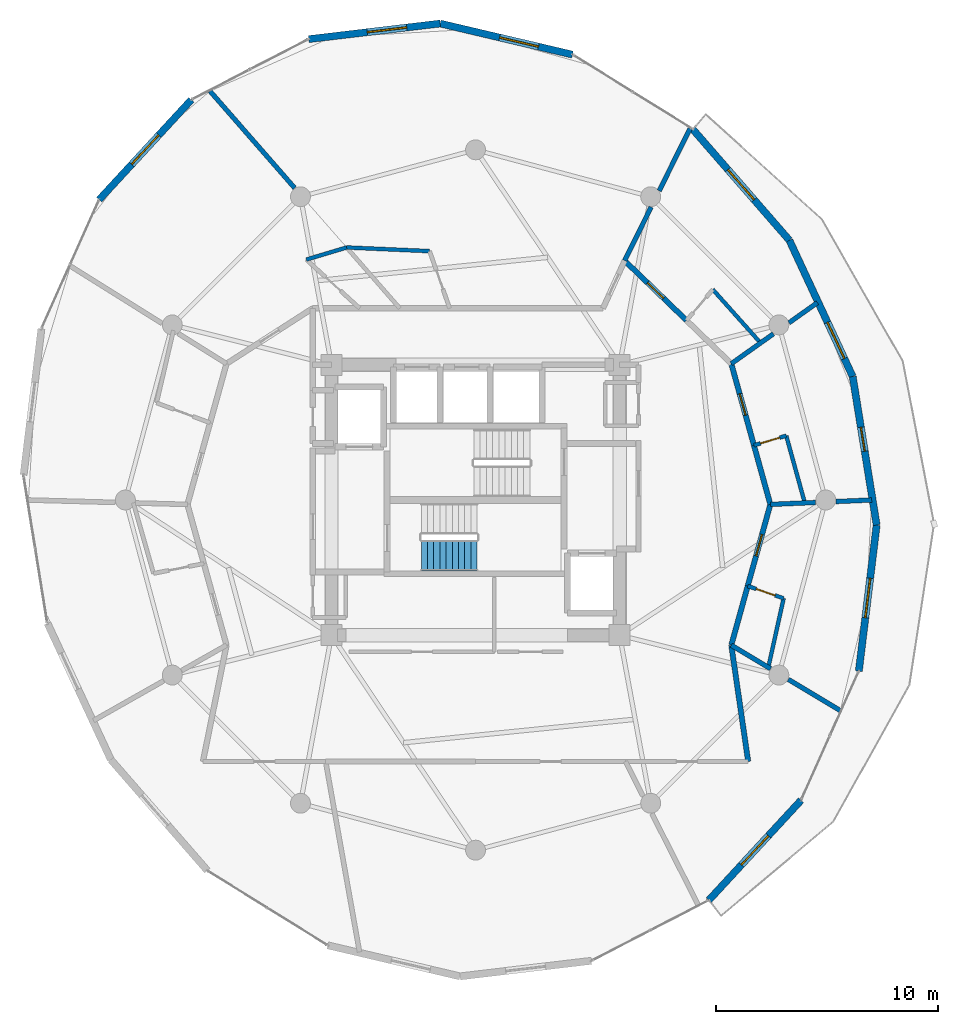
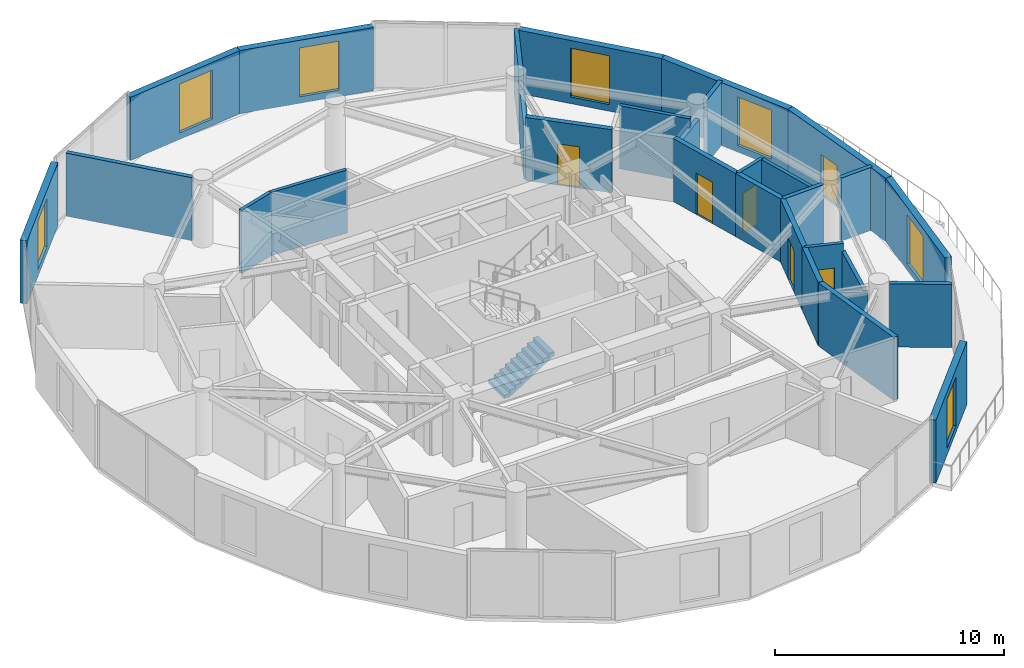
# One storey, part 19 of 22: 30 walls, 7 windows, 6 doors, 1 stair flight, 13 openings, 1 element without a shape of its own.
"""IFC4 building model written with IfcOpenShell, lengths in metres."""

from ifc_helpers import new_model, si_unit, direction, frame, frame_2d, origin, place, context, subcontext, project, spatial, polyline, rectangle, outline, extrude, material, layer, layer_set, type_object, element, fill, aggregate, save


model = new_model("IFC4")

# Units and contexts
model_context = context("Model", 3, precision=1e-05, world=origin(), true_north=direction((0.0, 1.0)))
body_context = subcontext(model_context, "Body", "Model", "MODEL_VIEW")
ifc_project = project(units=[si_unit("LENGTHUNIT", "METRE"), si_unit("AREAUNIT", "SQUARE_METRE"), si_unit("VOLUMEUNIT", "CUBIC_METRE"), si_unit("PLANEANGLEUNIT", "RADIAN"), si_unit("MASSUNIT", "GRAM", prefix="KILO")], contexts=[model_context])

# Site, building, storey
site_placement = place(None, origin())
site = spatial("IfcSite", under=ifc_project, at=site_placement, CompositionType="ELEMENT")
building_placement = place(site_placement, origin())
building = spatial("IfcBuilding", under=site, at=building_placement, Name="Solvirekh Grand Hotel", CompositionType="ELEMENT")
storey_placement = place(building_placement, frame((0.0, 0.0, 227.199951171875)))
storey = spatial("IfcBuildingStorey", under=building, at=storey_placement, Name="L59", CompositionType="ELEMENT", Elevation=227.199951171875)

# Wall, opening, window
ifc_material_1 = material(Name="Precast concrete C45/55", Category="concrete")
ifc_layer_1 = layer(ifc_material_1, 0.320068359375)
ifc_layer_set_1 = layer_set([ifc_layer_1], Name="Precast concrete C45/55")
wall_type_1 = type_object("IfcWallType", Name="ExtLobbyWall_RC320", PredefinedType="SOLIDWALL", material=ifc_layer_set_1)
wall_1_placement = place(storey_placement, frame((14.68408203125, -13.551025390625, 0.0), z_axis=(0.0, 0.0, 1.0), x_axis=(-0.678273488218, -0.734809550279, 0.0)))
wall_1 = element("IfcWall", 1, at=wall_1_placement, inside=storey, type_object=wall_type_1, Name="L59 exterior structural wall chord 2", PredefinedType="SOLIDWALL", context=body_context, shape_type="SweptSolid", body=[
    extrude(rectangle(XDim=6.132080078125, YDim=0.320068359375, at=frame_2d((3.06591796875, 0.0))), origin(), (0.0, 0.0, 1.0), 3.360107421875),
])
opening_1_placement = place(wall_1_placement, frame((2.166015625, 0.0, 0.35009765625)))
opening_1 = element("IfcOpeningElement", 2, at=opening_1_placement, cuts=wall_1, Name="Opening W02", PredefinedType="OPENING", context=body_context, shape_type="SweptSolid", body=[
    extrude(rectangle(XDim=1.800048828125, YDim=2.60009765625, at=frame_2d((0.89990234375, 1.300048828125))), frame((0.0, 0.169921875, 0.0), z_axis=(0.0, -1.0, 0.0), x_axis=(1.0, 0.0, 0.0)), (0.0, 0.0, 1.0), 0.340087890625),
])
ifc_material_2 = material(Name="Low-E Tinted Bronze Laminated Glass", Category="aluminium")
window_type = type_object("IfcWindowType", Name="Win_LobbyExt_1800X2600", PartitioningType="SINGLE_PANEL", PredefinedType="WINDOW", material=ifc_material_2)
window_1_placement = place(opening_1_placement, origin())
window_1 = element("IfcWindow", 3, at=window_1_placement, inside=storey, type_object=window_type, Name="L59 panoramic bronze-framed window 2", OverallHeight=2.60009765625, OverallWidth=1.800048828125, PartitioningType="SINGLE_PANEL", PredefinedType="WINDOW", context=body_context, shape_type="SweptSolid", body=[
    extrude(rectangle(XDim=1.800048828125, YDim=2.60009765625, at=frame_2d((0.89990234375, 1.300048828125))), frame((0.0, 0.030029296875, 0.0), z_axis=(0.0, -1.0, 0.0), x_axis=(1.0, 0.0, 0.0)), (0.0, 0.0, 1.0), 0.06005859375),
])
fill(opening_1, window_1)

wall_2_placement = place(storey_placement, frame((18.095947265625, -1.131103515625, 0.0), z_axis=(0.0, 0.0, 1.0), x_axis=(-0.12099160472, -0.992653530486, 0.0)))
wall_2 = element("IfcWall", 4, at=wall_2_placement, inside=storey, type_object=wall_type_1, Name="L59 exterior structural wall chord 4", PredefinedType="SOLIDWALL", context=body_context, shape_type="SweptSolid", body=[
    extrude(rectangle(XDim=6.63671875, YDim=0.320068359375, at=frame_2d((3.318359375, 0.0))), origin(), (0.0, 0.0, 1.0), 3.360107421875),
])
opening_2_placement = place(wall_2_placement, frame((2.41796875, 0.0, 0.35009765625)))
opening_2 = element("IfcOpeningElement", 5, at=opening_2_placement, cuts=wall_2, Name="Opening W02", PredefinedType="OPENING", context=body_context, shape_type="SweptSolid", body=[
    extrude(rectangle(XDim=1.800048828125, YDim=2.60009765625, at=frame_2d((0.89990234375, 1.300048828125))), frame((0.0, 0.169921875, 0.0), z_axis=(0.0, -1.0, 0.0), x_axis=(1.0, 0.0, 0.0)), (0.0, 0.0, 1.0), 0.340087890625),
])
window_2_placement = place(opening_2_placement, origin())
window_2 = element("IfcWindow", 6, at=window_2_placement, inside=storey, type_object=window_type, Name="L59 panoramic bronze-framed window 4", OverallHeight=2.60009765625, OverallWidth=1.800048828125, PartitioningType="SINGLE_PANEL", PredefinedType="WINDOW", context=body_context, shape_type="SweptSolid", body=[
    extrude(rectangle(XDim=1.800048828125, YDim=2.60009765625, at=frame_2d((0.89990234375, 1.300048828125))), frame((0.0, 0.030029296875, 0.0), z_axis=(0.0, -1.0, 0.0), x_axis=(1.0, 0.0, 0.0)), (0.0, 0.0, 1.0), 0.06005859375),
])
fill(opening_2, window_2)

# Wall, opening, door
wall_3_placement = place(storey_placement, frame((17.01611328125, 5.568115234375, 0.0), z_axis=(0.0, 0.0, 1.0), x_axis=(0.159134025561, -0.987256988787, 0.0)))
wall_3 = element("IfcWall", 7, at=wall_3_placement, inside=storey, type_object=wall_type_1, Name="L59 exterior structural wall chord 5", PredefinedType="SOLIDWALL", context=body_context, shape_type="SweptSolid", body=[
    extrude(rectangle(XDim=6.78564453125, YDim=0.320068359375, at=frame_2d((3.392822265625, 0.0))), origin(), (0.0, 0.0, 1.0), 3.360107421875),
])
opening_3_placement = place(wall_3_placement, frame((2.31689453125, 0.0, 0.0)))
opening_3 = element("IfcOpeningElement", 8, at=opening_3_placement, cuts=wall_3, Name="Opening D03", PredefinedType="OPENING", context=body_context, shape_type="SweptSolid", body=[
    extrude(rectangle(XDim=1.10009765625, YDim=2.199951171875, at=frame_2d((0.550048828125, 1.10009765625))), frame((0.0, 0.169921875, 0.0), z_axis=(0.0, -1.0, 0.0), x_axis=(1.0, 0.0, 0.0)), (0.0, 0.0, 1.0), 0.340087890625),
])
ifc_material_3 = material(Name="Anodized Bronze Aluminium 6063-T6", Category="aluminium")
door_type_1 = type_object("IfcDoorType", Name="Door_ExtBalcony_1100X2200", OperationType="NOTDEFINED", PredefinedType="DOOR", material=ifc_material_3)
door_1_placement = place(opening_3_placement, origin())
door_1 = element("IfcDoor", 9, at=door_1_placement, inside=storey, type_object=door_type_1, Name="L59 Crescent balcony glazed door (5)", OperationType="SINGLE_SWING_LEFT", OverallHeight=2.199951171875, OverallWidth=1.10009765625, PredefinedType="DOOR", context=body_context, shape_type="SweptSolid", body=[
    extrude(rectangle(XDim=1.10009765625, YDim=2.199951171875, at=frame_2d((0.550048828125, 1.10009765625))), frame((0.0, 0.02490234375, 0.0), z_axis=(0.0, -1.0, 0.0), x_axis=(1.0, 0.0, 0.0)), (0.0, 0.0, 1.0), 0.050048828125),
])
fill(opening_3, door_1)

# Wall, opening, window
wall_4_placement = place(storey_placement, frame((14.156982421875, 11.720947265625, 0.0), z_axis=(0.0, 0.0, 1.0), x_axis=(0.421409426627, -0.906870495247, 0.0)))
wall_4 = element("IfcWall", 10, at=wall_4_placement, inside=storey, type_object=wall_type_1, Name="L59 exterior structural wall chord 6", PredefinedType="SOLIDWALL", context=body_context, shape_type="SweptSolid", body=[
    extrude(rectangle(XDim=6.78466796875, YDim=0.320068359375, at=frame_2d((3.392333984375, 0.0))), origin(), (0.0, 0.0, 1.0), 3.360107421875),
])
opening_4_placement = place(wall_4_placement, frame((4.0859375, 0.0, 0.35009765625)))
opening_4 = element("IfcOpeningElement", 11, at=opening_4_placement, cuts=wall_4, Name="Opening W02", PredefinedType="OPENING", context=body_context, shape_type="SweptSolid", body=[
    extrude(rectangle(XDim=1.800048828125, YDim=2.60009765625, at=frame_2d((0.89990234375, 1.300048828125))), frame((0.0, 0.169921875, 0.0), z_axis=(0.0, -1.0, 0.0), x_axis=(1.0, 0.0, 0.0)), (0.0, 0.0, 1.0), 0.340087890625),
])
window_3_placement = place(opening_4_placement, origin())
window_3 = element("IfcWindow", 12, at=window_3_placement, inside=storey, type_object=window_type, Name="L59 panoramic bronze-framed window 6", OverallHeight=2.60009765625, OverallWidth=1.800048828125, PartitioningType="SINGLE_PANEL", PredefinedType="WINDOW", context=body_context, shape_type="SweptSolid", body=[
    extrude(rectangle(XDim=1.800048828125, YDim=2.60009765625, at=frame_2d((0.89990234375, 1.300048828125))), frame((0.0, 0.030029296875, 0.0), z_axis=(0.0, -1.0, 0.0), x_axis=(1.0, 0.0, 0.0)), (0.0, 0.0, 1.0), 0.06005859375),
])
fill(opening_4, window_3)

wall_5_placement = place(storey_placement, frame((9.800048828125, 16.72802734375, 0.0), z_axis=(0.0, 0.0, 1.0), x_axis=(0.656431844165, -0.754385335201, 0.0)))
wall_5 = element("IfcWall", 13, at=wall_5_placement, inside=storey, type_object=wall_type_1, Name="L59 exterior structural wall chord 7", PredefinedType="SOLIDWALL", context=body_context, shape_type="SweptSolid", body=[
    extrude(rectangle(XDim=6.63720703125, YDim=0.320068359375, at=frame_2d((3.318603515625, 0.0))), origin(), (0.0, 0.0, 1.0), 3.360107421875),
])
opening_5_placement = place(wall_5_placement, frame((2.4189453125, 0.0, 0.35009765625)))
opening_5 = element("IfcOpeningElement", 14, at=opening_5_placement, cuts=wall_5, Name="Opening W02", PredefinedType="OPENING", context=body_context, shape_type="SweptSolid", body=[
    extrude(rectangle(XDim=1.800048828125, YDim=2.60009765625, at=frame_2d((0.89990234375, 1.300048828125))), frame((0.0, 0.169921875, 0.0), z_axis=(0.0, -1.0, 0.0), x_axis=(1.0, 0.0, 0.0)), (0.0, 0.0, 1.0), 0.340087890625),
])
window_4_placement = place(opening_5_placement, origin())
window_4 = element("IfcWindow", 15, at=window_4_placement, inside=storey, type_object=window_type, Name="L59 panoramic bronze-framed window 7", OverallHeight=2.60009765625, OverallWidth=1.800048828125, PartitioningType="SINGLE_PANEL", PredefinedType="WINDOW", context=body_context, shape_type="SweptSolid", body=[
    extrude(rectangle(XDim=1.800048828125, YDim=2.60009765625, at=frame_2d((0.89990234375, 1.300048828125))), frame((0.0, 0.030029296875, 0.0), z_axis=(0.0, -1.0, 0.0), x_axis=(1.0, 0.0, 0.0)), (0.0, 0.0, 1.0), 0.06005859375),
])
fill(opening_5, window_4)

wall_6_placement = place(storey_placement, frame((-1.597900390625, 21.498046875, 0.0), z_axis=(0.0, 0.0, 1.0), x_axis=(0.973503262374, -0.22867312511, 0.0)))
wall_6 = element("IfcWall", 16, at=wall_6_placement, inside=storey, type_object=wall_type_1, Name="L59 exterior structural wall chord 9", PredefinedType="SOLIDWALL", context=body_context, shape_type="SweptSolid", body=[
    extrude(rectangle(XDim=6.13134765625, YDim=0.320068359375, at=frame_2d((3.065673828125, 0.0))), origin(), (0.0, 0.0, 1.0), 3.360107421875),
])
opening_6_placement = place(wall_6_placement, frame((2.756103515625, 0.0, 0.35009765625)))
opening_6 = element("IfcOpeningElement", 17, at=opening_6_placement, cuts=wall_6, Name="Opening W02", PredefinedType="OPENING", context=body_context, shape_type="SweptSolid", body=[
    extrude(rectangle(XDim=1.800048828125, YDim=2.60009765625, at=frame_2d((0.89990234375, 1.300048828125))), frame((0.0, 0.169921875, 0.0), z_axis=(0.0, -1.0, 0.0), x_axis=(1.0, 0.0, 0.0)), (0.0, 0.0, 1.0), 0.340087890625),
])
window_5_placement = place(opening_6_placement, origin())
window_5 = element("IfcWindow", 18, at=window_5_placement, inside=storey, type_object=window_type, Name="L59 panoramic bronze-framed window 9", OverallHeight=2.60009765625, OverallWidth=1.800048828125, PartitioningType="SINGLE_PANEL", PredefinedType="WINDOW", context=body_context, shape_type="SweptSolid", body=[
    extrude(rectangle(XDim=1.800048828125, YDim=2.60009765625, at=frame_2d((0.89990234375, 1.300048828125))), frame((0.0, 0.030029296875, 0.0), z_axis=(0.0, -1.0, 0.0), x_axis=(1.0, 0.0, 0.0)), (0.0, 0.0, 1.0), 0.06005859375),
])
fill(opening_6, window_5)

wall_7_placement = place(storey_placement, frame((-7.52392578125, 20.794921875, 0.0), z_axis=(0.0, 0.0, 1.0), x_axis=(0.993034505957, 0.117823893921, 0.0)))
wall_7 = element("IfcWall", 19, at=wall_7_placement, inside=storey, type_object=wall_type_1, Name="L59 exterior structural wall chord 10", PredefinedType="SOLIDWALL", context=body_context, shape_type="SweptSolid", body=[
    extrude(rectangle(XDim=5.967529296875, YDim=0.320068359375, at=frame_2d((2.98388671875, 0.0))), origin(), (0.0, 0.0, 1.0), 3.360107421875),
])
opening_7_placement = place(wall_7_placement, frame((2.656005859375, 0.0, 0.35009765625)))
opening_7 = element("IfcOpeningElement", 20, at=opening_7_placement, cuts=wall_7, Name="Opening W02", PredefinedType="OPENING", context=body_context, shape_type="SweptSolid", body=[
    extrude(rectangle(XDim=1.800048828125, YDim=2.60009765625, at=frame_2d((0.89990234375, 1.300048828125))), frame((0.0, 0.169921875, 0.0), z_axis=(0.0, -1.0, 0.0), x_axis=(1.0, 0.0, 0.0)), (0.0, 0.0, 1.0), 0.340087890625),
])
window_6_placement = place(opening_7_placement, origin())
window_6 = element("IfcWindow", 21, at=window_6_placement, inside=storey, type_object=window_type, Name="L59 panoramic bronze-framed window 10", OverallHeight=2.60009765625, OverallWidth=1.800048828125, PartitioningType="SINGLE_PANEL", PredefinedType="WINDOW", context=body_context, shape_type="SweptSolid", body=[
    extrude(rectangle(XDim=1.800048828125, YDim=2.60009765625, at=frame_2d((0.89990234375, 1.300048828125))), frame((0.0, 0.030029296875, 0.0), z_axis=(0.0, -1.0, 0.0), x_axis=(1.0, 0.0, 0.0)), (0.0, 0.0, 1.0), 0.06005859375),
])
fill(opening_7, window_6)

wall_8_placement = place(storey_placement, frame((-16.98388671875, 13.551025390625, 0.0), z_axis=(0.0, 0.0, 1.0), x_axis=(0.678251989905, 0.734829393935, 0.0)))
wall_8 = element("IfcWall", 22, at=wall_8_placement, inside=storey, type_object=wall_type_1, Name="L59 exterior structural wall chord 12", PredefinedType="SOLIDWALL", context=body_context, shape_type="SweptSolid", body=[
    extrude(rectangle(XDim=6.1318359375, YDim=0.320068359375, at=frame_2d((3.06591796875, 0.0))), origin(), (0.0, 0.0, 1.0), 3.360107421875),
])
opening_8_placement = place(wall_8_placement, frame((2.166015625, 0.0, 0.35009765625)))
opening_8 = element("IfcOpeningElement", 23, at=opening_8_placement, cuts=wall_8, Name="Opening W02", PredefinedType="OPENING", context=body_context, shape_type="SweptSolid", body=[
    extrude(rectangle(XDim=1.800048828125, YDim=2.60009765625, at=frame_2d((0.89990234375, 1.300048828125))), frame((0.0, 0.169921875, 0.0), z_axis=(0.0, -1.0, 0.0), x_axis=(1.0, 0.0, 0.0)), (0.0, 0.0, 1.0), 0.340087890625),
])
window_7_placement = place(opening_8_placement, origin())
window_7 = element("IfcWindow", 24, at=window_7_placement, inside=storey, type_object=window_type, Name="L59 panoramic bronze-framed window 12", OverallHeight=2.60009765625, OverallWidth=1.800048828125, PartitioningType="SINGLE_PANEL", PredefinedType="WINDOW", context=body_context, shape_type="SweptSolid", body=[
    extrude(rectangle(XDim=1.800048828125, YDim=2.60009765625, at=frame_2d((0.89990234375, 1.300048828125))), frame((0.0, 0.030029296875, 0.0), z_axis=(0.0, -1.0, 0.0), x_axis=(1.0, 0.0, 0.0)), (0.0, 0.0, 1.0), 0.06005859375),
])
fill(opening_8, window_7)

# Wall
ifc_material_4 = material(Name="Acoustic Gypsum Partition Assembly")
ifc_layer_2 = layer(ifc_material_4, 0.239990234375)
ifc_layer_set_2 = layer_set([ifc_layer_2], Name="Acoustic Gypsum Partition Assembly")
wall_type_2 = type_object("IfcWallType", Name="Part_Corridor_240", PredefinedType="PARTITIONING", material=ifc_layer_set_2)
wall_9_placement = place(storey_placement, frame((11.5380859375, -6.550048828125, 0.0), z_axis=(0.0, 0.0, 1.0), x_axis=(0.267361785392, 0.963596220266, 0.0)))
element("IfcWall", 25, at=wall_9_placement, inside=storey, type_object=wall_type_2, Name="L59 En-suite Bathroom 6105 corridor backing wall", PredefinedType="PARTITIONING", context=body_context, shape_type="SweptSolid", body=[
    extrude(rectangle(XDim=2.767822265625, YDim=0.239990234375, at=frame_2d((1.3837890625, 0.0))), origin(), (0.0, 0.0, 1.0), 3.360107421875),
])

# Wall, opening, door
wall_10_placement = place(storey_placement, frame((12.278076171875, -3.883056640625, 0.0), z_axis=(0.0, 0.0, 1.0), x_axis=(0.267373718537, 0.963592909187, 0.0)))
wall_10 = element("IfcWall", 26, at=wall_10_placement, inside=storey, type_object=wall_type_2, Name="L59 Deluxe Guestroom 6105 entrance wall", PredefinedType="PARTITIONING", context=body_context, shape_type="SweptSolid", body=[
    extrude(rectangle(XDim=3.822265625, YDim=0.239990234375, at=frame_2d((1.9111328125, 0.0))), origin(), (0.0, 0.0, 1.0), 3.360107421875),
])
opening_9_placement = place(wall_10_placement, frame((1.410888671875, 0.0, 0.0)))
opening_9 = element("IfcOpeningElement", 27, at=opening_9_placement, cuts=wall_10, Name="Opening D07", PredefinedType="OPENING", context=body_context, shape_type="SweptSolid", body=[
    extrude(rectangle(XDim=1.0, YDim=2.199951171875, at=frame_2d((0.5, 1.10009765625))), frame((0.0, 0.1298828125, 0.0), z_axis=(0.0, -1.0, 0.0), x_axis=(1.0, 0.0, 0.0)), (0.0, 0.0, 1.0), 0.260009765625),
])
ifc_material_5 = material(Name="Fire-Rated Steel Door Assembly", Category="steel")
door_type_2 = type_object("IfcDoorType", Name="Door_GuestEntry_1000X2200", OperationType="NOTDEFINED", PredefinedType="DOOR", material=ifc_material_5)
door_2_placement = place(opening_9_placement, origin())
door_2 = element("IfcDoor", 28, at=door_2_placement, inside=storey, type_object=door_type_2, Name="L59 Deluxe Guestroom 6105 entrance door", OperationType="SINGLE_SWING_RIGHT", OverallHeight=2.199951171875, OverallWidth=1.0, PredefinedType="DOOR", context=body_context, shape_type="SweptSolid", body=[
    extrude(rectangle(XDim=1.0, YDim=2.199951171875, at=frame_2d((0.5, 1.10009765625))), frame((0.0, 0.02490234375, 0.0), z_axis=(0.0, -1.0, 0.0), x_axis=(1.0, 0.0, 0.0)), (0.0, 0.0, 1.0), 0.050048828125),
])
fill(opening_9, door_2)

# Wall
wall_11_placement = place(storey_placement, frame((13.300048828125, -0.199951171875, 0.0), z_axis=(0.0, 0.0, 1.0), x_axis=(-0.267361785392, 0.963596220266, 0.0)))
element("IfcWall", 29, at=wall_11_placement, inside=storey, type_object=wall_type_2, Name="L59 En-suite Bathroom 6106 corridor backing wall", PredefinedType="PARTITIONING", context=body_context, shape_type="SweptSolid", body=[
    extrude(rectangle(XDim=2.767822265625, YDim=0.239990234375, at=frame_2d((1.3837890625, 0.0))), origin(), (0.0, 0.0, 1.0), 3.360107421875),
])

# Wall, opening, door
wall_12_placement = place(storey_placement, frame((12.56005859375, 2.467041015625, 0.0), z_axis=(0.0, 0.0, 1.0), x_axis=(-0.267390175797, 0.963588342544, 0.0)))
wall_12 = element("IfcWall", 30, at=wall_12_placement, inside=storey, type_object=wall_type_2, Name="L59 Deluxe Guestroom 6106 entrance wall", PredefinedType="PARTITIONING", context=body_context, shape_type="SweptSolid", body=[
    extrude(rectangle(XDim=3.822021484375, YDim=0.239990234375, at=frame_2d((1.9111328125, 0.0))), origin(), (0.0, 0.0, 1.0), 3.360107421875),
])
opening_10_placement = place(wall_12_placement, frame((1.410888671875, 0.0, 0.0)))
opening_10 = element("IfcOpeningElement", 31, at=opening_10_placement, cuts=wall_12, Name="Opening D07", PredefinedType="OPENING", context=body_context, shape_type="SweptSolid", body=[
    extrude(rectangle(XDim=1.0, YDim=2.199951171875, at=frame_2d((0.5, 1.10009765625))), frame((0.0, 0.1298828125, 0.0), z_axis=(0.0, -1.0, 0.0), x_axis=(1.0, 0.0, 0.0)), (0.0, 0.0, 1.0), 0.260009765625),
])
door_3_placement = place(opening_10_placement, origin())
door_3 = element("IfcDoor", 32, at=door_3_placement, inside=storey, type_object=door_type_2, Name="L59 Deluxe Guestroom 6106 entrance door", OperationType="SINGLE_SWING_RIGHT", OverallHeight=2.199951171875, OverallWidth=1.0, PredefinedType="DOOR", context=body_context, shape_type="SweptSolid", body=[
    extrude(rectangle(XDim=1.0, YDim=2.199951171875, at=frame_2d((0.5, 1.10009765625))), frame((0.0, 0.02490234375, 0.0), z_axis=(0.0, -1.0, 0.0), x_axis=(1.0, 0.0, 0.0)), (0.0, 0.0, 1.0), 0.050048828125),
])
fill(opening_10, door_3)

wall_13_placement = place(storey_placement, frame((9.51708984375, 8.10302734375, 0.0), z_axis=(0.0, 0.0, 1.0), x_axis=(-0.719359188441, 0.694638292931, 0.0)))
wall_13 = element("IfcWall", 33, at=wall_13_placement, inside=storey, type_object=wall_type_2, Name="L59 Deluxe Guestroom 6107 entrance wall", PredefinedType="PARTITIONING", context=body_context, shape_type="SweptSolid", body=[
    extrude(rectangle(XDim=3.881103515625, YDim=0.239990234375, at=frame_2d((1.9404296875, 0.0))), origin(), (0.0, 0.0, 1.0), 3.360107421875),
])
opening_11_placement = place(wall_13_placement, frame((1.44091796875, 0.0, 0.0)))
opening_11 = element("IfcOpeningElement", 34, at=opening_11_placement, cuts=wall_13, Name="Opening D07", PredefinedType="OPENING", context=body_context, shape_type="SweptSolid", body=[
    extrude(rectangle(XDim=1.0, YDim=2.199951171875, at=frame_2d((0.5, 1.10009765625))), frame((0.0, 0.1298828125, 0.0), z_axis=(0.0, -1.0, 0.0), x_axis=(1.0, 0.0, 0.0)), (0.0, 0.0, 1.0), 0.260009765625),
])
door_4_placement = place(opening_11_placement, origin())
door_4 = element("IfcDoor", 35, at=door_4_placement, inside=storey, type_object=door_type_2, Name="L59 Deluxe Guestroom 6107 entrance door", OperationType="SINGLE_SWING_RIGHT", OverallHeight=2.199951171875, OverallWidth=1.0, PredefinedType="DOOR", context=body_context, shape_type="SweptSolid", body=[
    extrude(rectangle(XDim=1.0, YDim=2.199951171875, at=frame_2d((0.5, 1.10009765625))), frame((0.0, 0.02490234375, 0.0), z_axis=(0.0, -1.0, 0.0), x_axis=(1.0, 0.0, 0.0)), (0.0, 0.0, 1.0), 0.050048828125),
])
fill(opening_11, door_4)

# Walls
wall_14_placement = place(storey_placement, frame((12.300048828125, -11.800048828125, 0.0), z_axis=(0.0, 0.0, 1.0), x_axis=(-0.143630922764, 0.989631324295, 0.0)))
element("IfcWall", 36, at=wall_14_placement, inside=storey, type_object=wall_type_2, Name="L59 L59 Butler Valet & Linen Steward Room corridor wall 1", PredefinedType="PARTITIONING", context=body_context, shape_type="SweptSolid", body=[
    extrude(rectangle(XDim=5.304931640625, YDim=0.239990234375, at=frame_2d((2.65234375, 0.0))), origin(), (0.0, 0.0, 1.0), 3.360107421875),
])
ifc_layer_3 = layer(ifc_material_4, 0.2099609375)
ifc_layer_set_3 = layer_set([ifc_layer_3], Name="Acoustic Gypsum Partition Assembly")
wall_type_3 = type_object("IfcWallType", Name="Part_SuiteDemise_210", PredefinedType="PARTITIONING", material=ifc_layer_set_3)
wall_15_placement = place(storey_placement, frame((13.300048828125, -0.199951171875, 0.0), z_axis=(0.0, 0.0, 1.0), x_axis=(0.999055257084, 0.043457948563, 0.0)))
element("IfcWall", 37, at=wall_15_placement, inside=storey, type_object=wall_type_3, Name="L59 suite radial wall 1 (A)", PredefinedType="PARTITIONING", context=body_context, shape_type="SweptSolid", body=[
    extrude(rectangle(XDim=2.044921875, YDim=0.2099609375, at=frame_2d((1.0224609375, 0.0))), origin(), (0.0, 0.0, 1.0), 3.360107421875),
])
wall_16_placement = place(storey_placement, frame((16.264892578125, -0.070068359375, 0.0), z_axis=(0.0, 0.0, 1.0), x_axis=(0.99905329622, 0.043503003492, 0.0)))
element("IfcWall", 38, at=wall_16_placement, inside=storey, type_object=wall_type_3, Name="L59 suite radial wall 1 (B)", PredefinedType="PARTITIONING", context=body_context, shape_type="SweptSolid", body=[
    extrude(rectangle(XDim=1.610595703125, YDim=0.2099609375, at=frame_2d((0.80517578125, 0.0))), origin(), (0.0, 0.0, 1.0), 3.360107421875),
])
wall_17_placement = place(storey_placement, frame((11.5380859375, 6.14990234375, 0.0), z_axis=(0.0, 0.0, 1.0), x_axis=(0.815682557634, 0.578499753822, 0.0)))
element("IfcWall", 39, at=wall_17_placement, inside=storey, type_object=wall_type_3, Name="L59 suite radial wall 2 (A)", PredefinedType="PARTITIONING", context=body_context, shape_type="SweptSolid", body=[
    extrude(rectangle(XDim=2.330322265625, YDim=0.2099609375, at=frame_2d((1.1650390625, 0.0))), origin(), (0.0, 0.0, 1.0), 2.8759765625),
])
wall_18_placement = place(storey_placement, frame((14.14306640625, 7.9970703125, 0.0), z_axis=(0.0, 0.0, 1.0), x_axis=(0.815727547958, 0.5784363124, 0.0)))
element("IfcWall", 40, at=wall_18_placement, inside=storey, type_object=wall_type_3, Name="L59 suite radial wall 2 (B)", PredefinedType="PARTITIONING", context=body_context, shape_type="SweptSolid", body=[
    extrude(rectangle(XDim=1.56787109375, YDim=0.2099609375, at=frame_2d((0.783935546875, 0.0))), origin(), (0.0, 0.0, 1.0), 3.360107421875),
])
wall_19_placement = place(storey_placement, frame((6.72509765625, 10.799072265625, 0.0), z_axis=(0.0, 0.0, 1.0), x_axis=(0.443620421332, 0.896214774358, 0.0)))
element("IfcWall", 41, at=wall_19_placement, inside=storey, type_object=wall_type_3, Name="L59 suite radial wall 3 (A)", PredefinedType="PARTITIONING", context=body_context, shape_type="SweptSolid", body=[
    extrude(rectangle(XDim=2.693359375, YDim=0.2099609375, at=frame_2d((1.3466796875, 0.0))), origin(), (0.0, 0.0, 1.0), 2.8759765625),
])
wall_20_placement = place(storey_placement, frame((8.285888671875, 13.951904296875, 0.0), z_axis=(0.0, 0.0, 1.0), x_axis=(0.443654587732, 0.896197861404, 0.0)))
element("IfcWall", 42, at=wall_20_placement, inside=storey, type_object=wall_type_3, Name="L59 suite radial wall 3 (B)", PredefinedType="PARTITIONING", context=body_context, shape_type="SweptSolid", body=[
    extrude(rectangle(XDim=3.131103515625, YDim=0.2099609375, at=frame_2d((1.5654296875, 0.0))), origin(), (0.0, 0.0, 1.0), 3.360107421875),
])
wall_21_placement = place(storey_placement, frame((11.5380859375, -6.550048828125, 0.0), z_axis=(0.0, 0.0, 1.0), x_axis=(0.85753462299, -0.514426253582, 0.0)))
element("IfcWall", 43, at=wall_21_placement, inside=storey, type_object=wall_type_3, Name="L59 suite radial wall 12 (A)", PredefinedType="PARTITIONING", context=body_context, shape_type="SweptSolid", body=[
    extrude(rectangle(XDim=2.06640625, YDim=0.2099609375, at=frame_2d((1.033203125, 0.0))), origin(), (0.0, 0.0, 1.0), 2.8759765625),
])
wall_22_placement = place(storey_placement, frame((14.111083984375, -8.093994140625, 0.0), z_axis=(0.0, 0.0, 1.0), x_axis=(0.857500813626, -0.514482608676, 0.0)))
element("IfcWall", 44, at=wall_22_placement, inside=storey, type_object=wall_type_3, Name="L59 suite radial wall 12 (B)", PredefinedType="PARTITIONING", context=body_context, shape_type="SweptSolid", body=[
    extrude(rectangle(XDim=2.73095703125, YDim=0.2099609375, at=frame_2d((1.365478515625, 0.0))), origin(), (0.0, 0.0, 1.0), 3.360107421875),
])
wall_23_placement = place(storey_placement, frame((-8.159912109375, 14.074951171875, 0.0), z_axis=(0.0, 0.0, 1.0), x_axis=(-0.657980612498, 0.753034868766, 0.0)))
element("IfcWall", 45, at=wall_23_placement, inside=storey, type_object=wall_type_3, Name="L59 Panorama Suite 6101 dividing partition 1 (B)", PredefinedType="PARTITIONING", context=body_context, shape_type="SweptSolid", body=[
    extrude(rectangle(XDim=5.80712890625, YDim=0.2099609375, at=frame_2d((2.903564453125, 0.0))), origin(), (0.0, 0.0, 1.0), 3.360107421875),
])
ifc_layer_4 = layer(ifc_material_4, 0.175048828125)
ifc_layer_set_4 = layer_set([ifc_layer_4], Name="Acoustic Gypsum Partition Assembly")
wall_type_4 = type_object("IfcWallType", Name="Plumb_Ensuite_175", PredefinedType="PLUMBINGWALL", material=ifc_layer_set_4)
wall_24_placement = place(storey_placement, frame((-5.81689453125, 11.39306640625, 0.0), z_axis=(0.0, 0.0, 1.0), x_axis=(0.999028783545, -0.044062338206, 0.0)))
element("IfcWall", 46, at=wall_24_placement, inside=storey, type_object=wall_type_4, Name="L59 En-suite Bathroom 6101 outer plumbing wall", PredefinedType="PLUMBINGWALL", context=body_context, shape_type="SweptSolid", body=[
    extrude(rectangle(XDim=3.74560546875, YDim=0.175048828125, at=frame_2d((1.872802734375, 0.0))), origin(), (0.0, 0.0, 1.0), 3.360107421875),
])
wall_25_placement = place(storey_placement, frame((-7.635009765625, 10.846923828125, 0.0), z_axis=(0.0, 0.0, 1.0), x_axis=(0.95772357585, 0.287690028089, 0.0)))
element("IfcWall", 47, at=wall_25_placement, inside=storey, type_object=wall_type_4, Name="L59 En-suite Bathroom 6102 outer plumbing wall", PredefinedType="PLUMBINGWALL", context=body_context, shape_type="SweptSolid", body=[
    extrude(rectangle(XDim=1.8984375, YDim=0.175048828125, at=frame_2d((0.94921875, 0.0))), origin(), (0.0, 0.0, 1.0), 3.360107421875),
])
wall_26_placement = place(storey_placement, frame((13.208984375, -7.552978515625, 0.0), z_axis=(0.0, 0.0, 1.0), x_axis=(0.216412225458, 0.976302078597, 0.0)))
element("IfcWall", 48, at=wall_26_placement, inside=storey, type_object=wall_type_4, Name="L59 En-suite Bathroom 6105 outer plumbing wall", PredefinedType="PLUMBINGWALL", context=body_context, shape_type="SweptSolid", body=[
    extrude(rectangle(XDim=3.192626953125, YDim=0.175048828125, at=frame_2d((1.59619140625, 0.0))), origin(), (0.0, 0.0, 1.0), 2.928955078125),
])

# Wall, opening, door
wall_27_placement = place(storey_placement, frame((12.278076171875, -3.883056640625, 0.0), z_axis=(0.0, 0.0, 1.0), x_axis=(0.946495352368, -0.322717442889, 0.0)))
wall_27 = element("IfcWall", 49, at=wall_27_placement, inside=storey, type_object=wall_type_4, Name="L59 En-suite Bathroom 6105 entry plumbing wall", PredefinedType="PLUMBINGWALL", context=body_context, shape_type="SweptSolid", body=[
    extrude(rectangle(XDim=1.713623046875, YDim=0.175048828125, at=frame_2d((0.85693359375, 0.0))), origin(), (0.0, 0.0, 1.0), 3.360107421875),
])
opening_12_placement = place(wall_27_placement, frame((0.406982421875, 0.0, 0.0)))
opening_12 = element("IfcOpeningElement", 50, at=opening_12_placement, cuts=wall_27, Name="Opening D09", PredefinedType="OPENING", context=body_context, shape_type="SweptSolid", body=[
    extrude(rectangle(XDim=0.89990234375, YDim=2.10009765625, at=frame_2d((0.449951171875, 1.050048828125))), frame((0.0, 0.09765625, 0.0), z_axis=(0.0, -1.0, 0.0), x_axis=(1.0, 0.0, 0.0)), (0.0, 0.0, 1.0), 0.195068359375),
])
door_type_3 = type_object("IfcDoorType", Name="Door_Ensuite_900X2100", OperationType="NOTDEFINED", PredefinedType="DOOR", material=ifc_material_3)
door_5_placement = place(opening_12_placement, origin())
door_5 = element("IfcDoor", 51, at=door_5_placement, inside=storey, type_object=door_type_3, Name="L59 En-suite Bathroom 6105 door", OperationType="SINGLE_SWING_LEFT", OverallHeight=2.10009765625, OverallWidth=0.89990234375, PredefinedType="DOOR", context=body_context, shape_type="SweptSolid", body=[
    extrude(rectangle(XDim=0.89990234375, YDim=2.10009765625, at=frame_2d((0.449951171875, 1.050048828125))), frame((0.0, 0.02490234375, 0.0), z_axis=(0.0, -1.0, 0.0), x_axis=(1.0, 0.0, 0.0)), (0.0, 0.0, 1.0), 0.050048828125),
])
fill(opening_12, door_5)

# Wall
wall_28_placement = place(storey_placement, frame((14.85498046875, -0.132080078125, 0.0), z_axis=(0.0, 0.0, 1.0), x_axis=(-0.266366689027, 0.963871768949, 0.0)))
element("IfcWall", 52, at=wall_28_placement, inside=storey, type_object=wall_type_4, Name="L59 En-suite Bathroom 6106 outer plumbing wall", PredefinedType="PLUMBINGWALL", context=body_context, shape_type="SweptSolid", body=[
    extrude(rectangle(XDim=3.1455078125, YDim=0.175048828125, at=frame_2d((1.57275390625, 0.0))), origin(), (0.0, 0.0, 1.0), 3.360107421875),
])

# Wall, opening, door
wall_29_placement = place(storey_placement, frame((12.56005859375, 2.467041015625, 0.0), z_axis=(0.0, 0.0, 1.0), x_axis=(0.958592070546, 0.284782798438, 0.0)))
wall_29 = element("IfcWall", 53, at=wall_29_placement, inside=storey, type_object=wall_type_4, Name="L59 En-suite Bathroom 6106 entry plumbing wall", PredefinedType="PLUMBINGWALL", context=body_context, shape_type="SweptSolid", body=[
    extrude(rectangle(XDim=1.52001953125, YDim=0.175048828125, at=frame_2d((0.760009765625, 0.0))), origin(), (0.0, 0.0, 1.0), 3.360107421875),
])
opening_13_placement = place(wall_29_placement, frame((0.31005859375, 0.0, 0.0)))
opening_13 = element("IfcOpeningElement", 54, at=opening_13_placement, cuts=wall_29, Name="Opening D09", PredefinedType="OPENING", context=body_context, shape_type="SweptSolid", body=[
    extrude(rectangle(XDim=0.89990234375, YDim=2.10009765625, at=frame_2d((0.449951171875, 1.050048828125))), frame((0.0, 0.09765625, 0.0), z_axis=(0.0, -1.0, 0.0), x_axis=(1.0, 0.0, 0.0)), (0.0, 0.0, 1.0), 0.195068359375),
])
door_6_placement = place(opening_13_placement, origin())
door_6 = element("IfcDoor", 55, at=door_6_placement, inside=storey, type_object=door_type_3, Name="L59 En-suite Bathroom 6106 door", OperationType="SINGLE_SWING_LEFT", OverallHeight=2.10009765625, OverallWidth=0.89990234375, PredefinedType="DOOR", context=body_context, shape_type="SweptSolid", body=[
    extrude(rectangle(XDim=0.89990234375, YDim=2.10009765625, at=frame_2d((0.449951171875, 1.050048828125))), frame((0.0, 0.02490234375, 0.0), z_axis=(0.0, -1.0, 0.0), x_axis=(1.0, 0.0, 0.0)), (0.0, 0.0, 1.0), 0.050048828125),
])
fill(opening_13, door_6)

# Wall
wall_30_placement = place(storey_placement, frame((12.85888671875, 7.0859375, 0.0), z_axis=(0.0, 0.0, 1.0), x_axis=(-0.666357777504, 0.745632156201, 0.0)))
element("IfcWall", 56, at=wall_30_placement, inside=storey, type_object=wall_type_4, Name="L59 En-suite Bathroom 6107 outer plumbing wall", PredefinedType="PLUMBINGWALL", context=body_context, shape_type="SweptSolid", body=[
    extrude(rectangle(XDim=3.233642578125, YDim=0.175048828125, at=frame_2d((1.61669921875, 0.0))), origin(), (0.0, 0.0, 1.0), 3.360107421875),
])

# Stair, stair flight
ifc_material_6 = material(Name="Concrete C40/50", Category="concrete")
stair_type = type_object("IfcStairType", Name="Stair_Core_1450", PredefinedType="HALF_TURN_STAIR", material=ifc_material_6)
stair_placement = place(storey_placement, origin())
stair = element("IfcStair", 57, at=stair_placement, inside=storey, type_object=stair_type, Name="L59 Enclosed exit stair ST-1", PredefinedType="HALF_TURN_STAIR")
stair_flight_type = type_object("IfcStairFlightType", Name="Flight_Core_1450", PredefinedType="STRAIGHT", material=ifc_material_6)
stair_flight_placement = place(storey_placement, frame((-2.449951171875, -2.5, 0.0), z_axis=(0.0, 0.0, 1.0), x_axis=(1.0, 0.0, 0.0)))
stair_flight = element("IfcStairFlight", 58, at=stair_flight_placement, type_object=stair_flight_type, Name="ST-1 flight 1", NumberOfRisers=10, NumberOfTreads=9, PredefinedType="STRAIGHT", RiserHeight=0.18, TreadLength=0.28, context=body_context, shape_type="SweptSolid", body=[
    extrude(outline(polyline([(0.0, 0.0), (0.0, 0.179931640625), (0.280029296875, 0.179931640625), (0.280029296875, 0.360107421875), (0.56005859375, 0.360107421875), (0.56005859375, 0.5400390625), (0.840087890625, 0.5400390625), (0.840087890625, 0.719970703125), (1.1201171875, 0.719970703125), (1.1201171875, 0.89990234375), (1.39990234375, 0.89990234375), (1.39990234375, 1.080078125), (1.679931640625, 1.080078125), (1.679931640625, 1.260009765625), (1.9599609375, 1.260009765625), (1.9599609375, 1.43994140625), (2.239990234375, 1.43994140625), (2.239990234375, 1.6201171875), (2.52001953125, 1.6201171875), (2.52001953125, 1.800048828125), (2.52001953125, 1.44189453125), (0.277099609375, 0.0), (0.0, 0.0)])), frame((0.0, 0.699951171875, 0.0), z_axis=(0.0, -1.0, 0.0), x_axis=(1.0, 0.0, 0.0)), (0.0, 0.0, 1.0), 1.39990234375),
])
aggregate(stair, [stair_flight])

save(model, "model.ifc")
